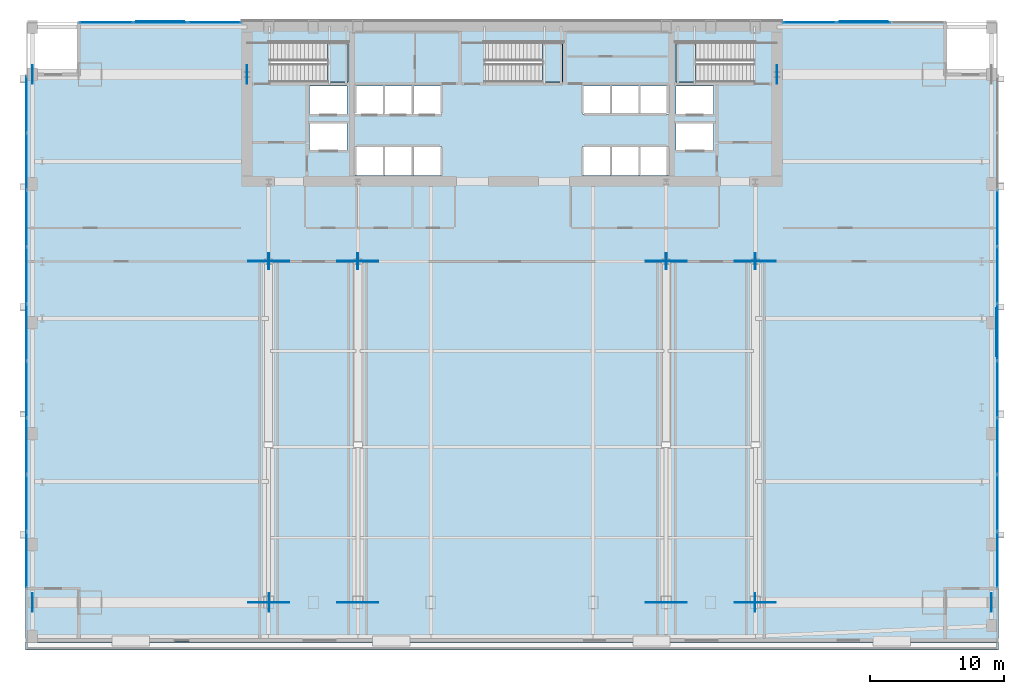
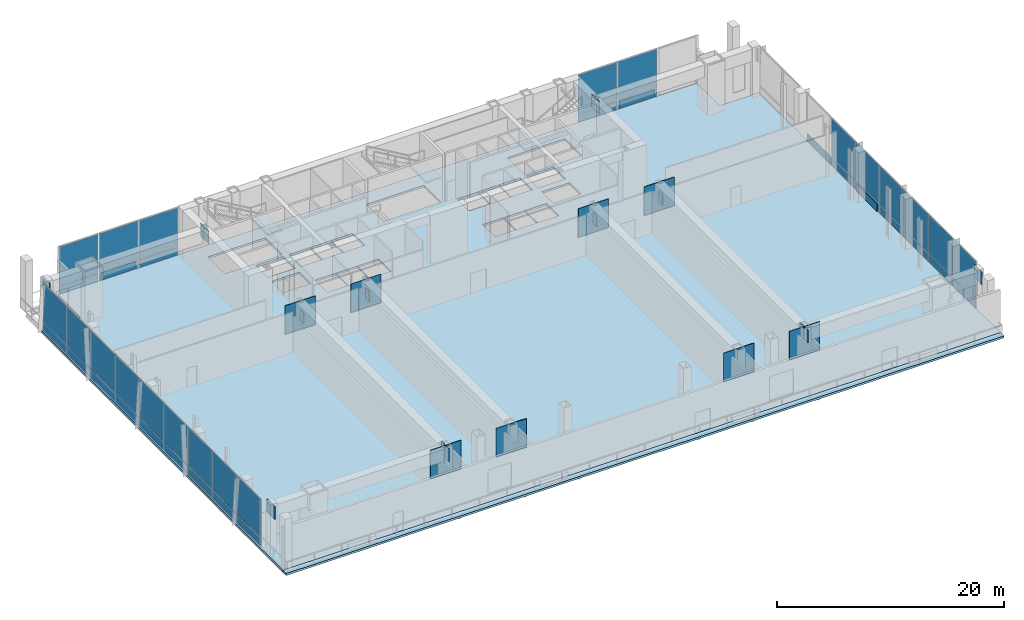
# One storey, part 18 of 26: 63 plates, 5 slabs, 7 elements without a shape of their own.
"""IFC4 building model written with IfcOpenShell, lengths in metres."""

from ifc_helpers import new_model, si_unit, direction, frame, origin, origin_2d, place, context, subcontext, project, spatial, polyline, rectangle, outline, extrude, material, layer, layer_set, type_object, element, aggregate, save


model = new_model("IFC4")

# Units and contexts
model_context = context("Model", 3, precision=1e-05, world=origin(), true_north=direction((0.0, 1.0)))
body_context = subcontext(model_context, "Body", "Model", "MODEL_VIEW")
ifc_project = project(units=[si_unit("LENGTHUNIT", "METRE"), si_unit("AREAUNIT", "SQUARE_METRE"), si_unit("VOLUMEUNIT", "CUBIC_METRE"), si_unit("PLANEANGLEUNIT", "RADIAN"), si_unit("MASSUNIT", "GRAM", prefix="KILO")], contexts=[model_context])

# Site, building, storey
site_placement = place(None, origin())
site = spatial("IfcSite", under=ifc_project, at=site_placement, CompositionType="ELEMENT")
building_placement = place(site_placement, origin())
building = spatial("IfcBuilding", under=site, at=building_placement, Name="Khoronbel Lancet Exchange", CompositionType="ELEMENT")
storey_placement = place(building_placement, frame((0.0, 0.0, 20.39990234375)))
storey = spatial("IfcBuildingStorey", under=building, at=storey_placement, Name="L04", CompositionType="ELEMENT", Elevation=20.39990234375)

# Curtain wall, plate
ifc_material_1 = material(Name="Low-E Solar Control Insulating Glass", Category="glass")
curtain_wall_type = type_object("IfcCurtainWallType", Name="CW-5", PredefinedType="NOTDEFINED", material=ifc_material_1)
curtain_wall_1_placement = place(storey_placement, origin())
curtain_wall_1 = element("IfcCurtainWall", 1, at=curtain_wall_1_placement, inside=storey, type_object=curtain_wall_type, Name="Unitised curtain wall CW-L04-EAST", PredefinedType="NOTDEFINED")
ifc_material_2 = material(Name="Bronze-Anodised Aluminium 6063-T6", Category="aluminium")
ifc_layer_1 = layer(ifc_material_2, 0.050048828125, Name="Bronze-Anodised Aluminium 6063-T6")
ifc_layer_set_1 = layer_set([ifc_layer_1], Name="Bronze-Anodised Aluminium 6063-T6")
plate_type_1 = type_object("IfcPlateType", Name="PLT-CSP1", PredefinedType="SHEET", material=ifc_layer_set_1)
plate_1_placement = place(storey_placement, frame((72.739990234375, 30.39990234375, 0.05029296875), z_axis=(0.0, 0.0, 1.0), x_axis=(0.0, 1.0, 0.0)))
plate_1 = element("IfcPlate", 2, at=plate_1_placement, type_object=plate_type_1, Name="Insulated bronze spandrel cassette CW-L04-EAST", PredefinedType="SHEET", context=body_context, shape_type="SweptSolid", body=[
    extrude(rectangle(XDim=3.60009765625, YDim=0.050048828125, at=origin_2d()), origin(), (0.0, 0.0, 1.0), 0.800048828125),
])

curtain_wall_2_placement = place(storey_placement, origin())
curtain_wall_2 = element("IfcCurtainWall", 3, at=curtain_wall_2_placement, inside=storey, type_object=curtain_wall_type, Name="Unitised curtain wall CW-L04-NW", PredefinedType="NOTDEFINED")
plate_2_placement = place(storey_placement, frame((10.110107421875, 53.659912109375, 0.05029296875), z_axis=(0.0, 0.0, 1.0), x_axis=(1.0, 0.0, 0.0)))
plate_2 = element("IfcPlate", 4, at=plate_2_placement, type_object=plate_type_1, Name="Insulated bronze spandrel cassette CW-L04-NW", PredefinedType="SHEET", context=body_context, shape_type="SweptSolid", body=[
    extrude(rectangle(XDim=3.60009765625, YDim=0.050048828125, at=origin_2d()), origin(), (0.0, 0.0, 1.0), 0.800048828125),
])

curtain_wall_3_placement = place(storey_placement, origin())
curtain_wall_3 = element("IfcCurtainWall", 5, at=curtain_wall_3_placement, inside=storey, type_object=curtain_wall_type, Name="Unitised curtain wall CW-L04-NE", PredefinedType="NOTDEFINED")
plate_3_placement = place(storey_placement, frame((62.7900390625, 53.659912109375, 0.05029296875), z_axis=(0.0, 0.0, 1.0), x_axis=(1.0, 0.0, 0.0)))
plate_3 = element("IfcPlate", 6, at=plate_3_placement, type_object=plate_type_1, Name="Insulated bronze spandrel cassette CW-L04-NE", PredefinedType="SHEET", context=body_context, shape_type="SweptSolid", body=[
    extrude(rectangle(XDim=3.60009765625, YDim=0.050048828125, at=origin_2d()), origin(), (0.0, 0.0, 1.0), 0.800048828125),
])

# Curtain wall, plates
curtain_wall_4_placement = place(storey_placement, origin())
curtain_wall_4 = element("IfcCurtainWall", 7, at=curtain_wall_4_placement, inside=storey, type_object=curtain_wall_type, Name="Unitised curtain wall CW-L04-WEST", PredefinedType="NOTDEFINED")
ifc_layer_2 = layer(ifc_material_1, 0.035888671875, Name="Low-E Solar Control Insulating Glass")
ifc_layer_set_2 = layer_set([ifc_layer_2], Name="Low-E Solar Control Insulating Glass")
plate_type_2 = type_object("IfcPlateType", Name="PLT-CWP1", PredefinedType="CURTAIN_PANEL", material=ifc_layer_set_2)
plate_4_placement = place(storey_placement, frame((0.10009765625, 47.4453125, 0.0751953125), z_axis=(0.0, 0.0, 1.0), x_axis=(0.0, -1.0, 0.0)))
plate_4 = element("IfcPlate", 8, at=plate_4_placement, type_object=plate_type_2, Name="CW5 panel 1.1", PredefinedType="CURTAIN_PANEL", context=body_context, shape_type="SweptSolid", body=[
    extrude(rectangle(XDim=4.13916015625, YDim=0.0380859375, at=origin_2d()), origin(), (0.0, 0.0, 1.0), 0.83740234375),
])
plate_5_placement = place(storey_placement, frame((0.10009765625, 47.4453125, 0.98779296875), z_axis=(0.0, 0.0, 1.0), x_axis=(0.0, -1.0, 0.0)))
plate_5 = element("IfcPlate", 9, at=plate_5_placement, type_object=plate_type_2, Name="CW5 panel 1.2", PredefinedType="CURTAIN_PANEL", context=body_context, shape_type="SweptSolid", body=[
    extrude(rectangle(XDim=4.13916015625, YDim=0.0380859375, at=origin_2d()), origin(), (0.0, 0.0, 1.0), 4.157470703125),
])
plate_6_placement = place(storey_placement, frame((0.10009765625, 43.199951171875, 0.0751953125), z_axis=(0.0, 0.0, 1.0), x_axis=(0.0, -1.0, 0.0)))
plate_6 = element("IfcPlate", 10, at=plate_6_placement, type_object=plate_type_2, Name="CW5 panel 2.1", PredefinedType="CURTAIN_PANEL", context=body_context, shape_type="SweptSolid", body=[
    extrude(rectangle(XDim=4.181640625, YDim=0.0380859375, at=origin_2d()), origin(), (0.0, 0.0, 1.0), 0.83740234375),
])
plate_7_placement = place(storey_placement, frame((0.10009765625, 43.199951171875, 0.98779296875), z_axis=(0.0, 0.0, 1.0), x_axis=(0.0, -1.0, 0.0)))
plate_7 = element("IfcPlate", 11, at=plate_7_placement, type_object=plate_type_2, Name="CW5 panel 2.2", PredefinedType="CURTAIN_PANEL", context=body_context, shape_type="SweptSolid", body=[
    extrude(rectangle(XDim=4.181640625, YDim=0.0380859375, at=origin_2d()), origin(), (0.0, 0.0, 1.0), 4.157470703125),
])
plate_8_placement = place(storey_placement, frame((0.10009765625, 38.933349609375, 0.0751953125), z_axis=(0.0, 0.0, 1.0), x_axis=(0.0, -1.0, 0.0)))
plate_8 = element("IfcPlate", 12, at=plate_8_placement, type_object=plate_type_2, Name="CW5 panel 3.1", PredefinedType="CURTAIN_PANEL", context=body_context, shape_type="SweptSolid", body=[
    extrude(rectangle(XDim=4.181640625, YDim=0.0380859375, at=origin_2d()), origin(), (0.0, 0.0, 1.0), 0.83740234375),
])
plate_9_placement = place(storey_placement, frame((0.10009765625, 38.933349609375, 0.98779296875), z_axis=(0.0, 0.0, 1.0), x_axis=(0.0, -1.0, 0.0)))
plate_9 = element("IfcPlate", 13, at=plate_9_placement, type_object=plate_type_2, Name="CW5 panel 3.2", PredefinedType="CURTAIN_PANEL", context=body_context, shape_type="SweptSolid", body=[
    extrude(rectangle(XDim=4.181640625, YDim=0.0380859375, at=origin_2d()), origin(), (0.0, 0.0, 1.0), 4.157470703125),
])
plate_10_placement = place(storey_placement, frame((0.10009765625, 34.666748046875, 0.0751953125), z_axis=(0.0, 0.0, 1.0), x_axis=(0.0, -1.0, 0.0)))
plate_10 = element("IfcPlate", 14, at=plate_10_placement, type_object=plate_type_2, Name="CW5 panel 4.1", PredefinedType="CURTAIN_PANEL", context=body_context, shape_type="SweptSolid", body=[
    extrude(rectangle(XDim=4.181640625, YDim=0.0380859375, at=origin_2d()), origin(), (0.0, 0.0, 1.0), 0.83740234375),
])
plate_11_placement = place(storey_placement, frame((0.10009765625, 34.666748046875, 0.98779296875), z_axis=(0.0, 0.0, 1.0), x_axis=(0.0, -1.0, 0.0)))
plate_11 = element("IfcPlate", 15, at=plate_11_placement, type_object=plate_type_2, Name="CW5 panel 4.2", PredefinedType="CURTAIN_PANEL", context=body_context, shape_type="SweptSolid", body=[
    extrude(rectangle(XDim=4.181640625, YDim=0.0380859375, at=origin_2d()), origin(), (0.0, 0.0, 1.0), 4.157470703125),
])
plate_12_placement = place(storey_placement, frame((0.10009765625, 30.39990234375, 0.0751953125), z_axis=(0.0, 0.0, 1.0), x_axis=(0.0, -1.0, 0.0)))
plate_12 = element("IfcPlate", 16, at=plate_12_placement, type_object=plate_type_2, Name="CW5 panel 5.1", PredefinedType="CURTAIN_PANEL", context=body_context, shape_type="SweptSolid", body=[
    extrude(rectangle(XDim=4.181640625, YDim=0.0380859375, at=origin_2d()), origin(), (0.0, 0.0, 1.0), 0.83740234375),
])
plate_13_placement = place(storey_placement, frame((0.10009765625, 30.39990234375, 0.98779296875), z_axis=(0.0, 0.0, 1.0), x_axis=(0.0, -1.0, 0.0)))
plate_13 = element("IfcPlate", 17, at=plate_13_placement, type_object=plate_type_2, Name="CW5 panel 5.2", PredefinedType="CURTAIN_PANEL", context=body_context, shape_type="SweptSolid", body=[
    extrude(rectangle(XDim=4.181640625, YDim=0.0380859375, at=origin_2d()), origin(), (0.0, 0.0, 1.0), 4.157470703125),
])
plate_14_placement = place(storey_placement, frame((0.10009765625, 26.13330078125, 0.0751953125), z_axis=(0.0, 0.0, 1.0), x_axis=(0.0, -1.0, 0.0)))
plate_14 = element("IfcPlate", 18, at=plate_14_placement, type_object=plate_type_2, Name="CW5 panel 6.1", PredefinedType="CURTAIN_PANEL", context=body_context, shape_type="SweptSolid", body=[
    extrude(rectangle(XDim=4.181640625, YDim=0.0380859375, at=origin_2d()), origin(), (0.0, 0.0, 1.0), 0.83740234375),
])
plate_15_placement = place(storey_placement, frame((0.10009765625, 26.13330078125, 0.98779296875), z_axis=(0.0, 0.0, 1.0), x_axis=(0.0, -1.0, 0.0)))
plate_15 = element("IfcPlate", 19, at=plate_15_placement, type_object=plate_type_2, Name="CW5 panel 6.2", PredefinedType="CURTAIN_PANEL", context=body_context, shape_type="SweptSolid", body=[
    extrude(rectangle(XDim=4.181640625, YDim=0.0380859375, at=origin_2d()), origin(), (0.0, 0.0, 1.0), 4.157470703125),
])
plate_16_placement = place(storey_placement, frame((0.10009765625, 21.86669921875, 0.0751953125), z_axis=(0.0, 0.0, 1.0), x_axis=(0.0, -1.0, 0.0)))
plate_16 = element("IfcPlate", 20, at=plate_16_placement, type_object=plate_type_2, Name="CW5 panel 7.1", PredefinedType="CURTAIN_PANEL", context=body_context, shape_type="SweptSolid", body=[
    extrude(rectangle(XDim=4.181640625, YDim=0.0380859375, at=origin_2d()), origin(), (0.0, 0.0, 1.0), 0.83740234375),
])
plate_17_placement = place(storey_placement, frame((0.10009765625, 21.86669921875, 0.98779296875), z_axis=(0.0, 0.0, 1.0), x_axis=(0.0, -1.0, 0.0)))
plate_17 = element("IfcPlate", 21, at=plate_17_placement, type_object=plate_type_2, Name="CW5 panel 7.2", PredefinedType="CURTAIN_PANEL", context=body_context, shape_type="SweptSolid", body=[
    extrude(rectangle(XDim=4.181640625, YDim=0.0380859375, at=origin_2d()), origin(), (0.0, 0.0, 1.0), 4.157470703125),
])
plate_18_placement = place(storey_placement, frame((0.10009765625, 17.60009765625, 0.0751953125), z_axis=(0.0, 0.0, 1.0), x_axis=(0.0, -1.0, 0.0)))
plate_18 = element("IfcPlate", 22, at=plate_18_placement, type_object=plate_type_2, Name="CW5 panel 8.1", PredefinedType="CURTAIN_PANEL", context=body_context, shape_type="SweptSolid", body=[
    extrude(rectangle(XDim=4.181640625, YDim=0.0380859375, at=origin_2d()), origin(), (0.0, 0.0, 1.0), 0.83740234375),
])
plate_19_placement = place(storey_placement, frame((0.10009765625, 17.60009765625, 0.98779296875), z_axis=(0.0, 0.0, 1.0), x_axis=(0.0, -1.0, 0.0)))
plate_19 = element("IfcPlate", 23, at=plate_19_placement, type_object=plate_type_2, Name="CW5 panel 8.2", PredefinedType="CURTAIN_PANEL", context=body_context, shape_type="SweptSolid", body=[
    extrude(rectangle(XDim=4.181640625, YDim=0.0380859375, at=origin_2d()), origin(), (0.0, 0.0, 1.0), 4.157470703125),
])
plate_20_placement = place(storey_placement, frame((0.10009765625, 13.3544921875, 0.0751953125), z_axis=(0.0, 0.0, 1.0), x_axis=(0.0, -1.0, 0.0)))
plate_20 = element("IfcPlate", 24, at=plate_20_placement, type_object=plate_type_2, Name="CW5 panel 9.1", PredefinedType="CURTAIN_PANEL", context=body_context, shape_type="SweptSolid", body=[
    extrude(rectangle(XDim=4.13916015625, YDim=0.0380859375, at=origin_2d()), origin(), (0.0, 0.0, 1.0), 0.83740234375),
])
plate_21_placement = place(storey_placement, frame((0.10009765625, 13.3544921875, 0.98779296875), z_axis=(0.0, 0.0, 1.0), x_axis=(0.0, -1.0, 0.0)))
plate_21 = element("IfcPlate", 25, at=plate_21_placement, type_object=plate_type_2, Name="CW5 panel 9.2", PredefinedType="CURTAIN_PANEL", context=body_context, shape_type="SweptSolid", body=[
    extrude(rectangle(XDim=4.13916015625, YDim=0.0380859375, at=origin_2d()), origin(), (0.0, 0.0, 1.0), 4.157470703125),
])
aggregate(curtain_wall_4, [plate_4, plate_5, plate_6, plate_7, plate_8, plate_9, plate_10, plate_11, plate_12, plate_13, plate_14, plate_15, plate_16, plate_17, plate_18, plate_19, plate_20, plate_21])

# Plate
plate_22_placement = place(storey_placement, frame((72.800048828125, 13.3544921875, 0.0751953125), z_axis=(0.0, 0.0, 1.0), x_axis=(0.0, 1.0, 0.0)))
plate_22 = element("IfcPlate", 26, at=plate_22_placement, type_object=plate_type_2, Name="CW5 panel 1.1", PredefinedType="CURTAIN_PANEL", context=body_context, shape_type="SweptSolid", body=[
    extrude(rectangle(XDim=4.13916015625, YDim=0.0380859375, at=origin_2d()), origin(), (0.0, 0.0, 1.0), 0.83740234375),
])

plate_23_placement = place(storey_placement, frame((72.800048828125, 13.3544921875, 0.98779296875), z_axis=(0.0, 0.0, 1.0), x_axis=(0.0, 1.0, 0.0)))
plate_23 = element("IfcPlate", 27, at=plate_23_placement, type_object=plate_type_2, Name="CW5 panel 1.2", PredefinedType="CURTAIN_PANEL", context=body_context, shape_type="SweptSolid", body=[
    extrude(rectangle(XDim=4.13916015625, YDim=0.0380859375, at=origin_2d()), origin(), (0.0, 0.0, 1.0), 4.157470703125),
])

plate_24_placement = place(storey_placement, frame((72.800048828125, 17.60009765625, 0.0751953125), z_axis=(0.0, 0.0, 1.0), x_axis=(0.0, 1.0, 0.0)))
plate_24 = element("IfcPlate", 28, at=plate_24_placement, type_object=plate_type_2, Name="CW5 panel 2.1", PredefinedType="CURTAIN_PANEL", context=body_context, shape_type="SweptSolid", body=[
    extrude(rectangle(XDim=4.181640625, YDim=0.0380859375, at=origin_2d()), origin(), (0.0, 0.0, 1.0), 0.83740234375),
])

plate_25_placement = place(storey_placement, frame((72.800048828125, 17.60009765625, 0.98779296875), z_axis=(0.0, 0.0, 1.0), x_axis=(0.0, 1.0, 0.0)))
plate_25 = element("IfcPlate", 29, at=plate_25_placement, type_object=plate_type_2, Name="CW5 panel 2.2", PredefinedType="CURTAIN_PANEL", context=body_context, shape_type="SweptSolid", body=[
    extrude(rectangle(XDim=4.181640625, YDim=0.0380859375, at=origin_2d()), origin(), (0.0, 0.0, 1.0), 4.157470703125),
])

plate_26_placement = place(storey_placement, frame((72.800048828125, 21.86669921875, 0.0751953125), z_axis=(0.0, 0.0, 1.0), x_axis=(0.0, 1.0, 0.0)))
plate_26 = element("IfcPlate", 30, at=plate_26_placement, type_object=plate_type_2, Name="CW5 panel 3.1", PredefinedType="CURTAIN_PANEL", context=body_context, shape_type="SweptSolid", body=[
    extrude(rectangle(XDim=4.181640625, YDim=0.0380859375, at=origin_2d()), origin(), (0.0, 0.0, 1.0), 0.83740234375),
])

plate_27_placement = place(storey_placement, frame((72.800048828125, 21.86669921875, 0.98779296875), z_axis=(0.0, 0.0, 1.0), x_axis=(0.0, 1.0, 0.0)))
plate_27 = element("IfcPlate", 31, at=plate_27_placement, type_object=plate_type_2, Name="CW5 panel 3.2", PredefinedType="CURTAIN_PANEL", context=body_context, shape_type="SweptSolid", body=[
    extrude(rectangle(XDim=4.181640625, YDim=0.0380859375, at=origin_2d()), origin(), (0.0, 0.0, 1.0), 4.157470703125),
])

plate_28_placement = place(storey_placement, frame((72.800048828125, 26.13330078125, 0.0751953125), z_axis=(0.0, 0.0, 1.0), x_axis=(0.0, 1.0, 0.0)))
plate_28 = element("IfcPlate", 32, at=plate_28_placement, type_object=plate_type_2, Name="CW5 panel 4.1", PredefinedType="CURTAIN_PANEL", context=body_context, shape_type="SweptSolid", body=[
    extrude(rectangle(XDim=4.181640625, YDim=0.0380859375, at=origin_2d()), origin(), (0.0, 0.0, 1.0), 0.83740234375),
])

plate_29_placement = place(storey_placement, frame((72.800048828125, 26.13330078125, 0.98779296875), z_axis=(0.0, 0.0, 1.0), x_axis=(0.0, 1.0, 0.0)))
plate_29 = element("IfcPlate", 33, at=plate_29_placement, type_object=plate_type_2, Name="CW5 panel 4.2", PredefinedType="CURTAIN_PANEL", context=body_context, shape_type="SweptSolid", body=[
    extrude(rectangle(XDim=4.181640625, YDim=0.0380859375, at=origin_2d()), origin(), (0.0, 0.0, 1.0), 4.157470703125),
])

plate_30_placement = place(storey_placement, frame((72.800048828125, 30.39990234375, 0.0751953125), z_axis=(0.0, 0.0, 1.0), x_axis=(0.0, 1.0, 0.0)))
plate_30 = element("IfcPlate", 34, at=plate_30_placement, type_object=plate_type_2, Name="CW5 panel 5.1", PredefinedType="CURTAIN_PANEL", context=body_context, shape_type="SweptSolid", body=[
    extrude(rectangle(XDim=4.181640625, YDim=0.0380859375, at=origin_2d()), origin(), (0.0, 0.0, 1.0), 0.83740234375),
])

plate_31_placement = place(storey_placement, frame((72.800048828125, 30.39990234375, 0.98779296875), z_axis=(0.0, 0.0, 1.0), x_axis=(0.0, 1.0, 0.0)))
plate_31 = element("IfcPlate", 35, at=plate_31_placement, type_object=plate_type_2, Name="CW5 panel 5.2", PredefinedType="CURTAIN_PANEL", context=body_context, shape_type="SweptSolid", body=[
    extrude(rectangle(XDim=4.181640625, YDim=0.0380859375, at=origin_2d()), origin(), (0.0, 0.0, 1.0), 4.157470703125),
])

plate_32_placement = place(storey_placement, frame((72.800048828125, 34.666748046875, 0.0751953125), z_axis=(0.0, 0.0, 1.0), x_axis=(0.0, 1.0, 0.0)))
plate_32 = element("IfcPlate", 36, at=plate_32_placement, type_object=plate_type_2, Name="CW5 panel 6.1", PredefinedType="CURTAIN_PANEL", context=body_context, shape_type="SweptSolid", body=[
    extrude(rectangle(XDim=4.181640625, YDim=0.0380859375, at=origin_2d()), origin(), (0.0, 0.0, 1.0), 0.83740234375),
])

plate_33_placement = place(storey_placement, frame((72.800048828125, 34.666748046875, 0.98779296875), z_axis=(0.0, 0.0, 1.0), x_axis=(0.0, 1.0, 0.0)))
plate_33 = element("IfcPlate", 37, at=plate_33_placement, type_object=plate_type_2, Name="CW5 panel 6.2", PredefinedType="CURTAIN_PANEL", context=body_context, shape_type="SweptSolid", body=[
    extrude(rectangle(XDim=4.181640625, YDim=0.0380859375, at=origin_2d()), origin(), (0.0, 0.0, 1.0), 4.157470703125),
])

plate_34_placement = place(storey_placement, frame((72.800048828125, 38.933349609375, 0.0751953125), z_axis=(0.0, 0.0, 1.0), x_axis=(0.0, 1.0, 0.0)))
plate_34 = element("IfcPlate", 38, at=plate_34_placement, type_object=plate_type_2, Name="CW5 panel 7.1", PredefinedType="CURTAIN_PANEL", context=body_context, shape_type="SweptSolid", body=[
    extrude(rectangle(XDim=4.181640625, YDim=0.0380859375, at=origin_2d()), origin(), (0.0, 0.0, 1.0), 0.83740234375),
])

aggregate(curtain_wall_1, [plate_22, plate_23, plate_24, plate_25, plate_26, plate_27, plate_28, plate_29, plate_30, plate_31, plate_32, plate_33, plate_34, plate_1])

plate_35_placement = place(storey_placement, frame((6.057861328125, 53.60009765625, 0.0751953125), z_axis=(0.0, 0.0, 1.0), x_axis=(1.0, 0.0, 0.0)))
plate_35 = element("IfcPlate", 39, at=plate_35_placement, type_object=plate_type_2, Name="CW5 panel 1.1", PredefinedType="CURTAIN_PANEL", context=body_context, shape_type="SweptSolid", body=[
    extrude(rectangle(XDim=3.94580078125, YDim=0.0380859375, at=origin_2d()), origin(), (0.0, 0.0, 1.0), 0.83740234375),
])

plate_36_placement = place(storey_placement, frame((6.057861328125, 53.60009765625, 0.98779296875), z_axis=(0.0, 0.0, 1.0), x_axis=(1.0, 0.0, 0.0)))
plate_36 = element("IfcPlate", 40, at=plate_36_placement, type_object=plate_type_2, Name="CW5 panel 1.2", PredefinedType="CURTAIN_PANEL", context=body_context, shape_type="SweptSolid", body=[
    extrude(rectangle(XDim=3.94580078125, YDim=0.0380859375, at=origin_2d()), origin(), (0.0, 0.0, 1.0), 4.157470703125),
])

plate_37_placement = place(storey_placement, frame((10.110107421875, 53.60009765625, 0.0751953125), z_axis=(0.0, 0.0, 1.0), x_axis=(1.0, 0.0, 0.0)))
plate_37 = element("IfcPlate", 41, at=plate_37_placement, type_object=plate_type_2, Name="CW5 panel 2.1", PredefinedType="CURTAIN_PANEL", context=body_context, shape_type="SweptSolid", body=[
    extrude(rectangle(XDim=3.98828125, YDim=0.0380859375, at=origin_2d()), origin(), (0.0, 0.0, 1.0), 0.83740234375),
])

plate_38_placement = place(storey_placement, frame((10.110107421875, 53.60009765625, 0.98779296875), z_axis=(0.0, 0.0, 1.0), x_axis=(1.0, 0.0, 0.0)))
plate_38 = element("IfcPlate", 42, at=plate_38_placement, type_object=plate_type_2, Name="CW5 panel 2.2", PredefinedType="CURTAIN_PANEL", context=body_context, shape_type="SweptSolid", body=[
    extrude(rectangle(XDim=3.98828125, YDim=0.0380859375, at=origin_2d()), origin(), (0.0, 0.0, 1.0), 4.157470703125),
])

plate_39_placement = place(storey_placement, frame((14.162109375, 53.60009765625, 0.0751953125), z_axis=(0.0, 0.0, 1.0), x_axis=(1.0, 0.0, 0.0)))
plate_39 = element("IfcPlate", 43, at=plate_39_placement, type_object=plate_type_2, Name="CW5 panel 3.1", PredefinedType="CURTAIN_PANEL", context=body_context, shape_type="SweptSolid", body=[
    extrude(rectangle(XDim=3.94580078125, YDim=0.0380859375, at=origin_2d()), origin(), (0.0, 0.0, 1.0), 0.83740234375),
])

plate_40_placement = place(storey_placement, frame((14.162109375, 53.60009765625, 0.98779296875), z_axis=(0.0, 0.0, 1.0), x_axis=(1.0, 0.0, 0.0)))
plate_40 = element("IfcPlate", 44, at=plate_40_placement, type_object=plate_type_2, Name="CW5 panel 3.2", PredefinedType="CURTAIN_PANEL", context=body_context, shape_type="SweptSolid", body=[
    extrude(rectangle(XDim=3.94580078125, YDim=0.0380859375, at=origin_2d()), origin(), (0.0, 0.0, 1.0), 4.157470703125),
])

aggregate(curtain_wall_2, [plate_35, plate_36, plate_37, plate_38, plate_39, plate_40, plate_2])

plate_41_placement = place(storey_placement, frame((58.738037109375, 53.60009765625, 0.0751953125), z_axis=(0.0, 0.0, 1.0), x_axis=(1.0, 0.0, 0.0)))
plate_41 = element("IfcPlate", 45, at=plate_41_placement, type_object=plate_type_2, Name="CW5 panel 1.1", PredefinedType="CURTAIN_PANEL", context=body_context, shape_type="SweptSolid", body=[
    extrude(rectangle(XDim=3.94580078125, YDim=0.0380859375, at=origin_2d()), origin(), (0.0, 0.0, 1.0), 0.83740234375),
])

plate_42_placement = place(storey_placement, frame((58.738037109375, 53.60009765625, 0.98779296875), z_axis=(0.0, 0.0, 1.0), x_axis=(1.0, 0.0, 0.0)))
plate_42 = element("IfcPlate", 46, at=plate_42_placement, type_object=plate_type_2, Name="CW5 panel 1.2", PredefinedType="CURTAIN_PANEL", context=body_context, shape_type="SweptSolid", body=[
    extrude(rectangle(XDim=3.94580078125, YDim=0.0380859375, at=origin_2d()), origin(), (0.0, 0.0, 1.0), 4.157470703125),
])

plate_43_placement = place(storey_placement, frame((62.7900390625, 53.60009765625, 0.0751953125), z_axis=(0.0, 0.0, 1.0), x_axis=(1.0, 0.0, 0.0)))
plate_43 = element("IfcPlate", 47, at=plate_43_placement, type_object=plate_type_2, Name="CW5 panel 2.1", PredefinedType="CURTAIN_PANEL", context=body_context, shape_type="SweptSolid", body=[
    extrude(rectangle(XDim=3.98828125, YDim=0.0380859375, at=origin_2d()), origin(), (0.0, 0.0, 1.0), 0.83740234375),
])

plate_44_placement = place(storey_placement, frame((62.7900390625, 53.60009765625, 0.98779296875), z_axis=(0.0, 0.0, 1.0), x_axis=(1.0, 0.0, 0.0)))
plate_44 = element("IfcPlate", 48, at=plate_44_placement, type_object=plate_type_2, Name="CW5 panel 2.2", PredefinedType="CURTAIN_PANEL", context=body_context, shape_type="SweptSolid", body=[
    extrude(rectangle(XDim=3.98828125, YDim=0.0380859375, at=origin_2d()), origin(), (0.0, 0.0, 1.0), 4.157470703125),
])

aggregate(curtain_wall_3, [plate_41, plate_42, plate_43, plate_44, plate_3])

# Plates
ifc_material_3 = material(Name="Steel S460", Category="steel")
ifc_layer_3 = layer(ifc_material_3, 0.044921875, Name="Steel S460")
ifc_layer_set_3 = layer_set([ifc_layer_3], Name="Steel S460")
plate_type_3 = type_object("IfcPlateType", Name="PLT-ECP1", PredefinedType="USERDEFINED", material=ifc_layer_set_3)
for number, where, z_axis, x_axis, name in (
    (49, (18.22509765625, 10.139892578125, 2.18017578125), (0.0, 0.0, 1.0), (0.0, -1.0, 0.0), "Hollow end cap plate PLT-CAP-TG1-S"),
    (50, (18.22509765625, 35.7099609375, 2.18017578125), (0.0, 0.0, 1.0), (0.0, 1.0, 0.0), "Hollow end cap plate PLT-CAP-TG1-N"),
    (51, (24.89990234375, 10.139892578125, 2.18017578125), (0.0, 0.0, 1.0), (0.0, -1.0, 0.0), "Hollow end cap plate PLT-CAP-TG2-S"),
    (52, (24.89990234375, 35.7099609375, 2.18017578125), (0.0, 0.0, 1.0), (0.0, 1.0, 0.0), "Hollow end cap plate PLT-CAP-TG2-N"),
    (53, (48.0, 10.139892578125, 2.18017578125), (0.0, 0.0, 1.0), (0.0, -1.0, 0.0), "Hollow end cap plate PLT-CAP-TG3-S"),
    (54, (48.0, 35.7099609375, 2.18017578125), (0.0, 0.0, 1.0), (0.0, 1.0, 0.0), "Hollow end cap plate PLT-CAP-TG3-N"),
    (55, (54.675048828125, 10.139892578125, 2.18017578125), (0.0, 0.0, 1.0), (0.0, -1.0, 0.0), "Hollow end cap plate PLT-CAP-TG4-S"),
    (56, (54.675048828125, 35.7099609375, 2.18017578125), (0.0, 0.0, 1.0), (0.0, 1.0, 0.0), "Hollow end cap plate PLT-CAP-TG4-N"),
):
    element("IfcPlate", number, at=place(storey_placement, frame(where, z_axis=z_axis, x_axis=x_axis)), inside=storey, type_object=plate_type_3, Name=name, ObjectType="STIFFENER_PLATE", PredefinedType="USERDEFINED", context=body_context, shape_type="SweptSolid", body=[
        extrude(rectangle(XDim=0.044921875, YDim=3.080078125, at=origin_2d()), origin(), (0.0, 0.0, 1.0), 3.080078125),
    ])
for number, where, z_axis, x_axis, name in (
    (57, (0.5400390625, 10.14990234375, 3.8701171875), (0.0, 0.0, 1.0), (-1.0, 0.0, 0.0), "Hollow end cap plate PLT-CAP-BM-L04-ZTG-MC-SW-0"),
    (58, (18.235107421875, 10.14990234375, 3.8701171875), (0.0, 0.0, 1.0), (1.0, 0.0, 0.0), "Hollow end cap plate PLT-CAP-BM-L04-ZTG-MC-SW-1"),
    (59, (54.6650390625, 10.14990234375, 3.8701171875), (0.0, 0.0, 1.0), (-1.0, 0.0, 0.0), "Hollow end cap plate PLT-CAP-BM-L04-ZTG-MC-SE-0"),
    (60, (72.360107421875, 10.14990234375, 3.8701171875), (0.0, 0.0, 1.0), (1.0, 0.0, 0.0), "Hollow end cap plate PLT-CAP-BM-L04-ZTG-MC-SE-1"),
    (61, (0.5400390625, 49.699951171875, 3.8701171875), (0.0, 0.0, 1.0), (-1.0, 0.0, 0.0), "Hollow end cap plate PLT-CAP-BM-L04-ZTG-MC-NW-0"),
    (62, (16.610107421875, 49.699951171875, 3.8701171875), (0.0, 0.0, 1.0), (1.0, 0.0, 0.0), "Hollow end cap plate PLT-CAP-BM-L04-ZTG-MC-NW-1"),
    (63, (56.2900390625, 49.699951171875, 3.8701171875), (0.0, 0.0, 1.0), (-1.0, 0.0, 0.0), "Hollow end cap plate PLT-CAP-BM-L04-ZTG-MC-NE-0"),
):
    element("IfcPlate", number, at=place(storey_placement, frame(where, z_axis=z_axis, x_axis=x_axis)), inside=storey, type_object=plate_type_3, Name=name, ObjectType="STIFFENER_PLATE", PredefinedType="USERDEFINED", context=body_context, shape_type="SweptSolid", body=[
        extrude(rectangle(XDim=0.044921875, YDim=1.3798828125, at=origin_2d()), origin(), (0.0, 0.0, 1.0), 1.3798828125),
    ])
ifc_layer_4 = layer(ifc_material_3, 0.06494140625, Name="Steel S460")
ifc_layer_set_4 = layer_set([ifc_layer_4], Name="Steel S460")
plate_type_4 = type_object("IfcPlateType", Name="PLT-ND4", PredefinedType="USERDEFINED", material=ifc_layer_set_4)
for number, where, z_axis, x_axis, name in (
    (64, (18.22509765625, 35.699951171875, 3.1201171875), (0.0, 0.0, 1.0), (1.0, 0.0, 0.0), "ND4 transfer truss node gusset plate 1"),
    (65, (24.89990234375, 35.699951171875, 3.1201171875), (0.0, 0.0, 1.0), (1.0, 0.0, 0.0), "ND4 transfer truss node gusset plate 2"),
    (66, (48.0, 35.699951171875, 3.1201171875), (0.0, 0.0, 1.0), (1.0, 0.0, 0.0), "ND4 transfer truss node gusset plate 3"),
    (67, (54.675048828125, 35.699951171875, 3.1201171875), (0.0, 0.0, 1.0), (1.0, 0.0, 0.0), "ND4 transfer truss node gusset plate 4"),
):
    element("IfcPlate", number, at=place(storey_placement, frame(where, z_axis=z_axis, x_axis=x_axis)), inside=storey, type_object=plate_type_4, Name=name, ObjectType="GUSSET_PLATE", PredefinedType="USERDEFINED", context=body_context, shape_type="SweptSolid", body=[
        extrude(rectangle(XDim=0.06494140625, YDim=1.199951171875, at=origin_2d()), origin(), (0.0, 0.0, 1.0), 1.199951171875),
    ])

# Slab
ifc_material_4 = material(Name="Concrete C40/50", Category="concrete")
ifc_layer_5 = layer(ifc_material_4, 0.219970703125, Name="Concrete C40/50")
ifc_layer_set_5 = layer_set([ifc_layer_5], Name="Concrete C40/50")
slab_type_1 = type_object("IfcSlabType", Name="SL-FL220", PredefinedType="FLOOR", material=ifc_layer_set_5)
slab_1_placement = place(storey_placement, frame((0.0, 0.0, -0.219970703125)))
element("IfcSlab", 68, at=slab_1_placement, inside=storey, type_object=slab_type_1, Name="Level L04 composite structural floor slab", PredefinedType="FLOOR", context=body_context, shape_type="SweptSolid", body=[
    extrude(outline(polyline([(0.0, 7.199951171875), (72.89990234375, 7.199951171875), (72.89990234375, 49.699951171875), (68.89990234375, 49.699951171875), (68.89990234375, 53.699951171875), (4.0, 53.699951171875), (4.0, 49.699951171875), (0.0, 49.699951171875), (0.0, 7.199951171875)]), holes=[polyline([(18.324951171875, 49.1201171875), (24.14990234375, 49.1201171875), (24.14990234375, 52.10009765625), (18.324951171875, 52.10009765625), (18.324951171875, 49.1201171875)]), polyline([(48.75, 49.1201171875), (54.574951171875, 49.1201171875), (54.574951171875, 52.10009765625), (48.75, 52.10009765625), (48.75, 49.1201171875)]), polyline([(34.425048828125, 49.1201171875), (40.25, 49.1201171875), (40.25, 52.10009765625), (34.425048828125, 52.10009765625), (34.425048828125, 49.1201171875)]), polyline([(24.699951171875, 46.75), (26.840087890625, 46.75), (26.840087890625, 48.85009765625), (24.699951171875, 48.85009765625), (24.699951171875, 46.75)]), polyline([(26.860107421875, 46.75), (29.0, 46.75), (29.0, 48.85009765625), (26.860107421875, 48.85009765625), (26.860107421875, 46.75)]), polyline([(29.02001953125, 46.75), (31.159912109375, 46.75), (31.159912109375, 48.85009765625), (29.02001953125, 48.85009765625), (29.02001953125, 46.75)]), polyline([(24.699951171875, 42.14990234375), (26.840087890625, 42.14990234375), (26.840087890625, 44.300048828125), (24.699951171875, 44.300048828125), (24.699951171875, 42.14990234375)]), polyline([(26.860107421875, 42.14990234375), (29.0, 42.14990234375), (29.0, 44.300048828125), (26.860107421875, 44.300048828125), (26.860107421875, 42.14990234375)]), polyline([(29.02001953125, 42.14990234375), (31.159912109375, 42.14990234375), (31.159912109375, 44.300048828125), (29.02001953125, 44.300048828125), (29.02001953125, 42.14990234375)]), polyline([(41.739990234375, 46.75), (43.8798828125, 46.75), (43.8798828125, 48.85009765625), (41.739990234375, 48.85009765625), (41.739990234375, 46.75)]), polyline([(43.89990234375, 46.75), (46.0400390625, 46.75), (46.0400390625, 48.85009765625), (43.89990234375, 48.85009765625), (43.89990234375, 46.75)]), polyline([(46.06005859375, 46.75), (48.199951171875, 46.75), (48.199951171875, 48.85009765625), (46.06005859375, 48.85009765625), (46.06005859375, 46.75)]), polyline([(41.739990234375, 42.14990234375), (43.8798828125, 42.14990234375), (43.8798828125, 44.300048828125), (41.739990234375, 44.300048828125), (41.739990234375, 42.14990234375)]), polyline([(43.89990234375, 42.14990234375), (46.0400390625, 42.14990234375), (46.0400390625, 44.300048828125), (43.89990234375, 44.300048828125), (43.89990234375, 42.14990234375)]), polyline([(46.06005859375, 42.14990234375), (48.199951171875, 42.14990234375), (48.199951171875, 44.300048828125), (46.06005859375, 44.300048828125), (46.06005859375, 42.14990234375)]), polyline([(21.300048828125, 46.75), (24.10009765625, 46.75), (24.10009765625, 48.85009765625), (21.300048828125, 48.85009765625), (21.300048828125, 46.75)]), polyline([(48.75, 46.75), (51.550048828125, 46.75), (51.550048828125, 48.85009765625), (48.75, 48.85009765625), (48.75, 46.75)]), polyline([(21.300048828125, 44.050048828125), (24.10009765625, 44.050048828125), (24.10009765625, 46.050048828125), (21.300048828125, 46.050048828125), (21.300048828125, 44.050048828125)]), polyline([(48.75, 44.050048828125), (51.550048828125, 44.050048828125), (51.550048828125, 46.050048828125), (48.75, 46.050048828125), (48.75, 44.050048828125)])]), origin(), (0.0, 0.0, 1.0), 0.219970703125),
])

# Stair, slab
stair_type = type_object("IfcStairType", Name="STR-CORE150", PredefinedType="HALF_TURN_STAIR", material=ifc_material_4)
stair_1_placement = place(storey_placement, origin())
stair_1 = element("IfcStair", 69, at=stair_1_placement, inside=storey, type_object=stair_type, Name="L04 Protected Exit Stair ST1", PredefinedType="HALF_TURN_STAIR")
ifc_layer_6 = layer(ifc_material_4, 0.199951171875, Name="Concrete C40/50")
ifc_layer_set_6 = layer_set([ifc_layer_6], Name="Concrete C40/50")
slab_type_2 = type_object("IfcSlabType", Name="SL-LND180", PredefinedType="LANDING", material=ifc_layer_set_6)
slab_2_placement = place(storey_placement, frame((0.0, 0.0, 2.5)))
slab_2 = element("IfcSlab", 70, at=slab_2_placement, type_object=slab_type_2, Name="ST1 landing 1", PredefinedType="LANDING", context=body_context, shape_type="SweptSolid", body=[
    extrude(outline(polyline([(22.64990234375, 49.1201171875), (24.14990234375, 49.1201171875), (24.14990234375, 52.10009765625), (22.64990234375, 52.10009765625), (22.64990234375, 49.1201171875)])), origin(), (0.0, 0.0, 1.0), 0.2001953125),
])
aggregate(stair_1, [slab_2])

stair_2_placement = place(storey_placement, origin())
stair_2 = element("IfcStair", 71, at=stair_2_placement, inside=storey, type_object=stair_type, Name="L04 Protected Exit Stair ST2", PredefinedType="HALF_TURN_STAIR")
slab_3_placement = place(storey_placement, frame((0.0, 0.0, 2.5)))
slab_3 = element("IfcSlab", 72, at=slab_3_placement, type_object=slab_type_2, Name="ST2 landing 1", PredefinedType="LANDING", context=body_context, shape_type="SweptSolid", body=[
    extrude(outline(polyline([(50.25, 52.10009765625), (48.75, 52.10009765625), (48.75, 49.1201171875), (50.25, 49.1201171875), (50.25, 52.10009765625)])), origin(), (0.0, 0.0, 1.0), 0.2001953125),
])
aggregate(stair_2, [slab_3])

stair_3_placement = place(storey_placement, origin())
stair_3 = element("IfcStair", 73, at=stair_3_placement, inside=storey, type_object=stair_type, Name="L04 Protected Exit Stair ST3", PredefinedType="HALF_TURN_STAIR")
slab_4_placement = place(storey_placement, frame((0.0, 0.0, 2.5)))
slab_4 = element("IfcSlab", 74, at=slab_4_placement, type_object=slab_type_2, Name="ST3 landing 1", PredefinedType="LANDING", context=body_context, shape_type="SweptSolid", body=[
    extrude(outline(polyline([(38.75, 49.1201171875), (40.25, 49.1201171875), (40.25, 52.10009765625), (38.75, 52.10009765625), (38.75, 49.1201171875)])), origin(), (0.0, 0.0, 1.0), 0.2001953125),
])
aggregate(stair_3, [slab_4])

# Slab
ifc_layer_7 = layer(ifc_material_4, 0.18994140625, Name="Concrete C40/50")
ifc_layer_set_7 = layer_set([ifc_layer_7], Name="Concrete C40/50")
slab_type_3 = type_object("IfcSlabType", Name="SL-TER180", PredefinedType="FLOOR", material=ifc_layer_set_7)
slab_5_placement = place(storey_placement, frame((0.0, 0.0, -0.219970703125)))
element("IfcSlab", 75, at=slab_5_placement, inside=storey, type_object=slab_type_3, Name="Level L04 cascading south planted garden terrace slab", PredefinedType="FLOOR", context=body_context, shape_type="SweptSolid", body=[
    extrude(outline(polyline([(0.0, 6.60009765625), (72.89990234375, 6.60009765625), (72.89990234375, 7.199951171875), (0.0, 7.199951171875), (0.0, 6.60009765625)])), origin(), (0.0, 0.0, 1.0), 0.219970703125),
])

save(model, "model.ifc")
